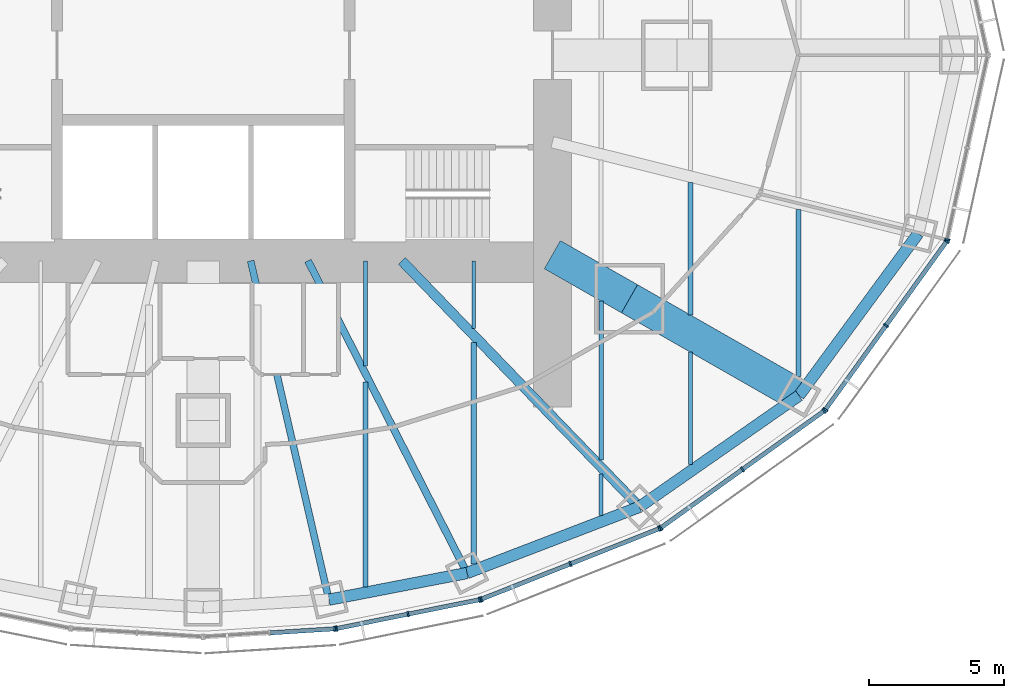
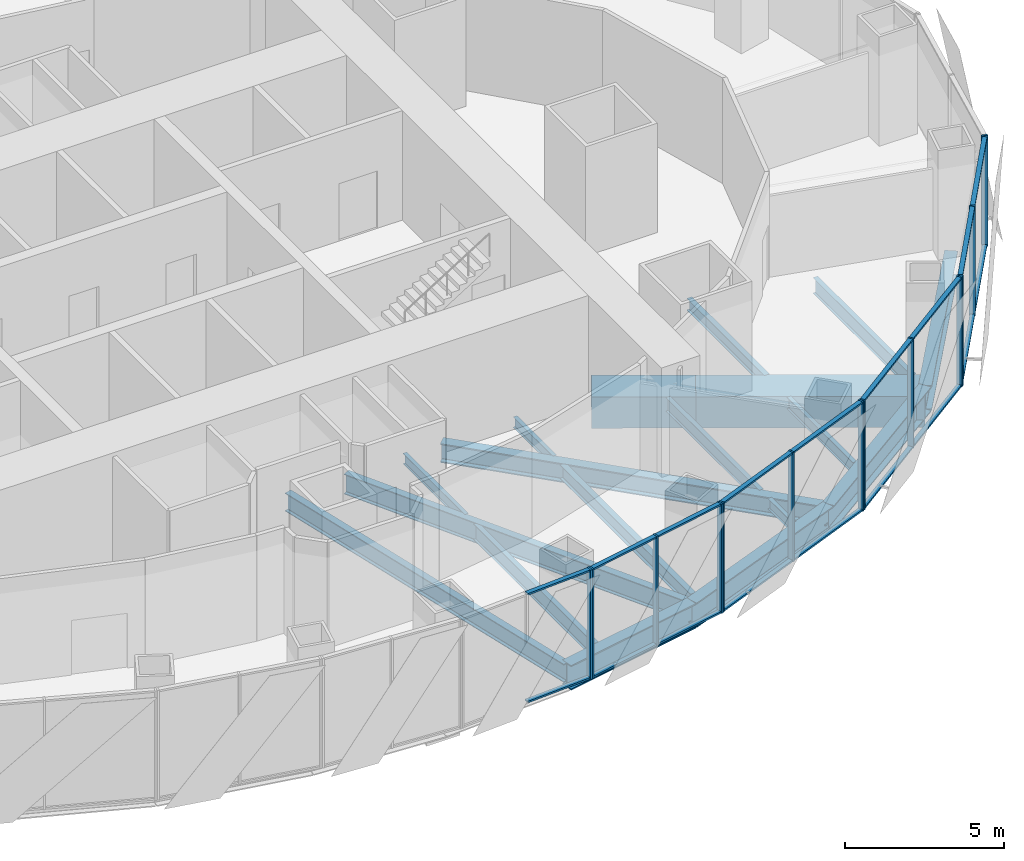
# One storey, part 5 of 17: 32 members, 18 beams, 6 elements without a shape of their own.
"""IFC4 building model written with IfcOpenShell, lengths in metres."""

from ifc_helpers import new_model, si_unit, direction, frame, origin, origin_2d, place, context, subcontext, project, spatial, rectangle, hollow_rectangle, i_section, extrude, material, material_profile, profile_set, type_object, element, aggregate, save


model = new_model("IFC4")

# Units and contexts
model_context = context("Model", 3, precision=1e-05, world=origin(), true_north=direction((0.0, 1.0)))
body_context = subcontext(model_context, "Body", "Model", "MODEL_VIEW")
ifc_project = project(units=[si_unit("LENGTHUNIT", "METRE"), si_unit("AREAUNIT", "SQUARE_METRE"), si_unit("VOLUMEUNIT", "CUBIC_METRE"), si_unit("PLANEANGLEUNIT", "RADIAN"), si_unit("MASSUNIT", "GRAM", prefix="KILO")], contexts=[model_context])

# Site, building, storey
site_placement = place(None, origin())
site = spatial("IfcSite", under=ifc_project, at=site_placement, CompositionType="ELEMENT")
building_placement = place(site_placement, origin())
building = spatial("IfcBuilding", under=site, at=building_placement, Name="Lantaw Convention Tower", CompositionType="ELEMENT")
storey_placement = place(building_placement, frame((0.0, 0.0, 117.39990234375)))
storey = spatial("IfcBuildingStorey", under=building, at=storey_placement, Name="L27", CompositionType="ELEMENT", Elevation=117.39990234375)

# Beams
ifc_material_1 = material(Name="Steel ASTM A992", Category="steel")
ifc_material_profile_1 = material_profile(ifc_material_1, i_section(OverallWidth=0.424072265625, OverallDepth=0.947509765625, WebThickness=0.02392578125, FlangeThickness=0.042724609375, FilletRadius=0.012451171875, at=origin_2d()), Name="W36X302")
ifc_profile_set_1 = profile_set([ifc_material_profile_1], Name="Steel ASTM A992")
beam_type_1 = type_object("IfcBeamType", Name="Beam BC W36X302", PredefinedType="SPANDREL", material=ifc_profile_set_1)
beam_1_placement = place(storey_placement, frame((4.64501953125, -20.1201171875, -0.62353515625), z_axis=(0.981796805654, 0.189934284446, 0.0), x_axis=(-0.189934284446, 0.981796805654, 0.0)))
element("IfcBeam", 1, at=beam_1_placement, inside=storey, type_object=beam_type_1, Name="Belt truss chord 20", PredefinedType="SPANDREL", context=body_context, shape_type="SweptSolid", body=[
    extrude(i_section(OverallWidth=0.424072265625, OverallDepth=0.947509765625, WebThickness=0.02392578125, FlangeThickness=0.042724609375, FilletRadius=0.012451171875, at=origin_2d()), origin(), (0.0, 0.0, 1.0), 5.1982421875),
])
beam_2_placement = place(storey_placement, frame((9.74853515625, -19.1328125, -0.62353515625), z_axis=(0.933691081977, 0.358079549033, 0.0), x_axis=(-0.358079549033, 0.933691081977, 0.0)))
element("IfcBeam", 2, at=beam_2_placement, inside=storey, type_object=beam_type_1, Name="Belt truss chord 21", PredefinedType="SPANDREL", context=body_context, shape_type="SweptSolid", body=[
    extrude(i_section(OverallWidth=0.424072265625, OverallDepth=0.947509765625, WebThickness=0.02392578125, FlangeThickness=0.042724609375, FilletRadius=0.012451171875, at=origin_2d()), origin(), (0.0, 0.0, 1.0), 6.821533203125),
])
beam_3_placement = place(storey_placement, frame((16.11767578125, -16.690185546875, -0.62353515625), z_axis=(0.820310765287, 0.57191804339, 0.0), x_axis=(-0.57191804339, 0.820310765287, 0.0)))
element("IfcBeam", 3, at=beam_3_placement, inside=storey, type_object=beam_type_1, Name="Belt truss chord 22", PredefinedType="SPANDREL", context=body_context, shape_type="SweptSolid", body=[
    extrude(i_section(OverallWidth=0.424072265625, OverallDepth=0.947509765625, WebThickness=0.02392578125, FlangeThickness=0.042724609375, FilletRadius=0.012451171875, at=origin_2d()), origin(), (0.0, 0.0, 1.0), 7.187744140625),
])
beam_4_placement = place(storey_placement, frame((22.013916015625, -12.579345703125, -0.62353515625), z_axis=(0.5923891972, 0.805651934176, 0.0), x_axis=(-0.805651934176, 0.5923891972, 0.0)))
element("IfcBeam", 4, at=beam_4_placement, inside=storey, type_object=beam_type_1, Name="Belt truss chord 23", PredefinedType="SPANDREL", context=body_context, shape_type="SweptSolid", body=[
    extrude(i_section(OverallWidth=0.424072265625, OverallDepth=0.947509765625, WebThickness=0.02392578125, FlangeThickness=0.042724609375, FilletRadius=0.012451171875, at=origin_2d()), origin(), (0.0, 0.0, 1.0), 7.437744140625),
])
ifc_material_2 = material(Name="Steel EN 10025-3 S460N", Category="steel")
ifc_material_profile_2 = material_profile(ifc_material_2, hollow_rectangle(XDim=1.199951171875, YDim=1.199951171875, WallThickness=0.10009765625, at=origin_2d()), Name="BOX1200X100")
ifc_profile_set_2 = profile_set([ifc_material_profile_2], Name="Steel EN 10025-3 S460N")
beam_type_2 = type_object("IfcBeamType", Name="Beam G BOX1200X100", PredefinedType="BEAM", material=ifc_profile_set_2)
beam_5_placement = place(storey_placement, frame((15.75, -9.0, -0.75), z_axis=(0.868245224608, -0.496135293993, 0.0), x_axis=(0.496135293993, 0.868245224608, 0.0)))
element("IfcBeam", 5, at=beam_5_placement, inside=storey, type_object=beam_type_2, Name="Floor girder on ray 23", PredefinedType="BEAM", context=body_context, shape_type="SweptSolid", body=[
    extrude(hollow_rectangle(XDim=1.199951171875, YDim=1.199951171875, WallThickness=0.10009765625, at=origin_2d()), origin(), (0.0, 0.0, 1.0), 7.21435546875),
])
ifc_material_profile_3 = material_profile(ifc_material_1, i_section(OverallWidth=0.25390625, OverallDepth=0.700927734375, WebThickness=0.015380859375, FlangeThickness=0.02783203125, FilletRadius=0.01513671875, at=origin_2d()), Name="W27X129")
ifc_profile_set_3 = profile_set([ifc_material_profile_3], Name="Steel ASTM A992")
beam_type_3 = type_object("IfcBeamType", Name="Beam G W27X129", PredefinedType="BEAM", material=ifc_profile_set_3)
beam_6_placement = place(storey_placement, frame((1.754638671875, -7.60009765625, -0.50048828125), z_axis=(0.224944153104, -0.974371658036, 0.0), x_axis=(0.974371658036, 0.224944153104, 0.0)))
element("IfcBeam", 6, at=beam_6_placement, inside=storey, type_object=beam_type_3, Name="Floor girder on ray 20", PredefinedType="BEAM", context=body_context, shape_type="SweptSolid", body=[
    extrude(i_section(OverallWidth=0.25390625, OverallDepth=0.700927734375, WebThickness=0.015380859375, FlangeThickness=0.02783203125, FilletRadius=0.01513671875, at=origin_2d()), origin(), (0.0, 0.0, 1.0), 12.849365234375),
])
ifc_material_profile_4 = material_profile(ifc_material_1, i_section(OverallWidth=0.360595703125, OverallDepth=0.72900390625, WebThickness=0.023193359375, FlangeThickness=0.041015625, FilletRadius=0.0126953125, at=origin_2d()), Name="W27X235")
ifc_profile_set_4 = profile_set([ifc_material_profile_4], Name="Steel ASTM A992")
beam_type_4 = type_object("IfcBeamType", Name="Beam G W27X235", PredefinedType="BEAM", material=ifc_profile_set_4)
beam_7_placement = place(storey_placement, frame((7.33935546875, -7.60009765625, -0.514404296875), z_axis=(0.694663467407, -0.719334878239, 0.0), x_axis=(0.719334878239, 0.694663467407, 0.0)))
element("IfcBeam", 7, at=beam_7_placement, inside=storey, type_object=beam_type_4, Name="Floor girder on ray 22", PredefinedType="BEAM", context=body_context, shape_type="SweptSolid", body=[
    extrude(i_section(OverallWidth=0.360595703125, OverallDepth=0.72900390625, WebThickness=0.023193359375, FlangeThickness=0.041015625, FilletRadius=0.0126953125, at=origin_2d()), origin(), (0.0, 0.0, 1.0), 12.63671875),
])
ifc_material_profile_5 = material_profile(ifc_material_1, i_section(OverallWidth=0.2666015625, OverallDepth=0.76953125, WebThickness=0.015625, FlangeThickness=0.025390625, FilletRadius=0.0126953125, at=origin_2d()), Name="W30X132")
ifc_profile_set_5 = profile_set([ifc_material_profile_5], Name="Steel ASTM A992")
beam_type_5 = type_object("IfcBeamType", Name="Beam G W30X132", PredefinedType="BEAM", material=ifc_profile_set_5)
beam_8_placement = place(storey_placement, frame((3.872314453125, -7.60009765625, -0.53466796875), z_axis=(0.453991051051, -0.891006243281, 0.0), x_axis=(0.891006243281, 0.453991051051, 0.0)))
element("IfcBeam", 8, at=beam_8_placement, inside=storey, type_object=beam_type_5, Name="Floor girder on ray 21", PredefinedType="BEAM", context=body_context, shape_type="SweptSolid", body=[
    extrude(i_section(OverallWidth=0.2666015625, OverallDepth=0.76953125, WebThickness=0.015625, FlangeThickness=0.025390625, FilletRadius=0.0126953125, at=origin_2d()), origin(), (0.0, 0.0, 1.0), 12.943359375),
])
ifc_material_profile_6 = material_profile(ifc_material_1, i_section(OverallWidth=0.140380859375, OverallDepth=0.40380859375, WebThickness=0.007080078125, FlangeThickness=0.01123046875, FilletRadius=0.01025390625, at=origin_2d()), Name="W16X31")
ifc_profile_set_6 = profile_set([ifc_material_profile_6], Name="Steel ASTM A992")
beam_type_6 = type_object("IfcBeamType", Name="Beam J W16X31", PredefinedType="JOIST", material=ifc_profile_set_6)
beam_9_placement = place(storey_placement, frame((6.0, -11.48193359375, -0.351806640625), z_axis=(0.0, 1.0, 0.0), x_axis=(-1.0, 0.0, 0.0)))
element("IfcBeam", 9, at=beam_9_placement, inside=storey, type_object=beam_type_6, Name="Floor joist", PredefinedType="JOIST", context=body_context, shape_type="SweptSolid", body=[
    extrude(i_section(OverallWidth=0.140380859375, OverallDepth=0.40380859375, WebThickness=0.007080078125, FlangeThickness=0.01123046875, FilletRadius=0.01025390625, at=origin_2d()), origin(), (0.0, 0.0, 1.0), 3.8818359375),
])
beam_10_placement = place(storey_placement, frame((10.0, -10.095703125, -0.351806640625), z_axis=(0.0, 1.0, 0.0), x_axis=(-1.0, 0.0, 0.0)))
element("IfcBeam", 10, at=beam_10_placement, inside=storey, type_object=beam_type_6, Name="Floor joist", PredefinedType="JOIST", context=body_context, shape_type="SweptSolid", body=[
    extrude(i_section(OverallWidth=0.140380859375, OverallDepth=0.40380859375, WebThickness=0.007080078125, FlangeThickness=0.01123046875, FilletRadius=0.01025390625, at=origin_2d()), origin(), (0.0, 0.0, 1.0), 2.49560546875),
])
beam_11_placement = place(storey_placement, frame((14.699951171875, -17.0068359375, -0.351806640625), z_axis=(0.0, 1.0, 0.0), x_axis=(-1.0, 0.0, 0.0)))
element("IfcBeam", 11, at=beam_11_placement, inside=storey, type_object=beam_type_6, Name="Floor joist", PredefinedType="JOIST", context=body_context, shape_type="SweptSolid", body=[
    extrude(i_section(OverallWidth=0.140380859375, OverallDepth=0.40380859375, WebThickness=0.007080078125, FlangeThickness=0.01123046875, FilletRadius=0.01025390625, at=origin_2d()), origin(), (0.0, 0.0, 1.0), 1.52490234375),
])
ifc_material_profile_7 = material_profile(ifc_material_1, i_section(OverallWidth=0.15234375, OverallDepth=0.449462890625, WebThickness=0.007568359375, FlangeThickness=0.0107421875, FilletRadius=0.01025390625, at=origin_2d()), Name="W18X35")
ifc_profile_set_7 = profile_set([ifc_material_profile_7], Name="Steel ASTM A992")
beam_type_7 = type_object("IfcBeamType", Name="Beam J W18X35", PredefinedType="JOIST", material=ifc_profile_set_7)
beam_12_placement = place(storey_placement, frame((18.0, -15.119384765625, -0.374755859375), z_axis=(0.0, 1.0, 0.0), x_axis=(-1.0, 0.0, 0.0)))
element("IfcBeam", 12, at=beam_12_placement, inside=storey, type_object=beam_type_7, Name="Floor joist", PredefinedType="JOIST", context=body_context, shape_type="SweptSolid", body=[
    extrude(i_section(OverallWidth=0.15234375, OverallDepth=0.449462890625, WebThickness=0.007568359375, FlangeThickness=0.0107421875, FilletRadius=0.01025390625, at=origin_2d()), origin(), (0.0, 0.0, 1.0), 4.142578125),
])
ifc_material_profile_8 = material_profile(ifc_material_1, i_section(OverallWidth=0.1904296875, OverallDepth=0.457275390625, WebThickness=0.009033203125, FlangeThickness=0.014404296875, FilletRadius=0.01025390625, at=origin_2d()), Name="W18X50")
ifc_profile_set_8 = profile_set([ifc_material_profile_8], Name="Steel ASTM A992")
beam_type_8 = type_object("IfcBeamType", Name="Beam J W18X50", PredefinedType="JOIST", material=ifc_profile_set_8)
beam_13_placement = place(storey_placement, frame((18.0, -9.5947265625, -0.37841796875), z_axis=(0.0, 1.0, 0.0), x_axis=(-1.0, 0.0, 0.0)))
element("IfcBeam", 13, at=beam_13_placement, inside=storey, type_object=beam_type_8, Name="Floor joist", PredefinedType="JOIST", context=body_context, shape_type="SweptSolid", body=[
    extrude(i_section(OverallWidth=0.1904296875, OverallDepth=0.457275390625, WebThickness=0.009033203125, FlangeThickness=0.014404296875, FilletRadius=0.01025390625, at=origin_2d()), origin(), (0.0, 0.0, 1.0), 4.8896484375),
])
ifc_material_profile_9 = material_profile(ifc_material_1, i_section(OverallWidth=0.1650390625, OverallDepth=0.52587890625, WebThickness=0.0087890625, FlangeThickness=0.011474609375, FilletRadius=0.0126953125, at=origin_2d()), Name="W21X44")
ifc_profile_set_9 = profile_set([ifc_material_profile_9], Name="Steel ASTM A992")
beam_type_9 = type_object("IfcBeamType", Name="Beam J W21X44", PredefinedType="JOIST", material=ifc_profile_set_9)
beam_14_placement = place(storey_placement, frame((14.699951171875, -14.962646484375, -0.412841796875), z_axis=(0.0, 1.0, 0.0), x_axis=(-1.0, 0.0, 0.0)))
element("IfcBeam", 14, at=beam_14_placement, inside=storey, type_object=beam_type_9, Name="Floor joist", PredefinedType="JOIST", context=body_context, shape_type="SweptSolid", body=[
    extrude(i_section(OverallWidth=0.1650390625, OverallDepth=0.52587890625, WebThickness=0.0087890625, FlangeThickness=0.011474609375, FilletRadius=0.0126953125, at=origin_2d()), origin(), (0.0, 0.0, 1.0), 5.87158203125),
])
ifc_material_profile_10 = material_profile(ifc_material_1, i_section(OverallWidth=0.2099609375, OverallDepth=0.535888671875, WebThickness=0.010986328125, FlangeThickness=0.017333984375, FilletRadius=0.012939453125, at=origin_2d()), Name="W21X68")
ifc_profile_set_10 = profile_set([ifc_material_profile_10], Name="Steel ASTM A992")
beam_type_10 = type_object("IfcBeamType", Name="Beam J W21X68", PredefinedType="JOIST", material=ifc_profile_set_10)
beam_15_placement = place(storey_placement, frame((10.0, -18.80908203125, -0.41796875), z_axis=(0.0, 1.0, 0.0), x_axis=(-1.0, 0.0, 0.0)))
element("IfcBeam", 15, at=beam_15_placement, inside=storey, type_object=beam_type_10, Name="Floor joist", PredefinedType="JOIST", context=body_context, shape_type="SweptSolid", body=[
    extrude(i_section(OverallWidth=0.2099609375, OverallDepth=0.535888671875, WebThickness=0.010986328125, FlangeThickness=0.017333984375, FilletRadius=0.012939453125, at=origin_2d()), origin(), (0.0, 0.0, 1.0), 8.194091796875),
])
ifc_material_profile_11 = material_profile(ifc_material_1, i_section(OverallWidth=0.177978515625, OverallDepth=0.599365234375, WebThickness=0.010009765625, FlangeThickness=0.012939453125, FilletRadius=0.012939453125, at=origin_2d()), Name="W24X55")
ifc_profile_set_11 = profile_set([ifc_material_profile_11], Name="Steel ASTM A992")
beam_type_11 = type_object("IfcBeamType", Name="Beam J W24X55", PredefinedType="JOIST", material=ifc_profile_set_11)
beam_16_placement = place(storey_placement, frame((6.0, -19.641845703125, -0.44970703125), z_axis=(0.0, 1.0, 0.0), x_axis=(-1.0, 0.0, 0.0)))
element("IfcBeam", 16, at=beam_16_placement, inside=storey, type_object=beam_type_11, Name="Floor joist", PredefinedType="JOIST", context=body_context, shape_type="SweptSolid", body=[
    extrude(i_section(OverallWidth=0.177978515625, OverallDepth=0.599365234375, WebThickness=0.010009765625, FlangeThickness=0.012939453125, FilletRadius=0.012939453125, at=origin_2d()), origin(), (0.0, 0.0, 1.0), 7.572509765625),
])
beam_17_placement = place(storey_placement, frame((22.0, -11.88037109375, -0.44970703125), z_axis=(0.0, 1.0, 0.0), x_axis=(-1.0, 0.0, 0.0)))
element("IfcBeam", 17, at=beam_17_placement, inside=storey, type_object=beam_type_11, Name="Floor joist", PredefinedType="JOIST", context=body_context, shape_type="SweptSolid", body=[
    extrude(i_section(OverallWidth=0.177978515625, OverallDepth=0.599365234375, WebThickness=0.010009765625, FlangeThickness=0.012939453125, FilletRadius=0.012939453125, at=origin_2d()), origin(), (0.0, 0.0, 1.0), 6.177978515625),
])
ifc_material_profile_12 = material_profile(ifc_material_2, hollow_rectangle(XDim=1.199951171875, YDim=1.199951171875, WallThickness=0.10009765625, at=origin_2d()), Name="BOX1200X100")
ifc_profile_set_12 = profile_set([ifc_material_profile_12], Name="Steel EN 10025-3 S460N")
beam_type_12 = type_object("IfcBeamType", Name="Beam OC BOX1200X100", PredefinedType="BEAM", material=ifc_profile_set_12)
beam_18_placement = place(storey_placement, frame((12.89990234375, -7.371337890625, -0.75), z_axis=(0.868238565244, -0.496146947811, 0.0), x_axis=(0.496146947811, 0.868238565244, 0.0)))
element("IfcBeam", 18, at=beam_18_placement, inside=storey, type_object=beam_type_12, Name="Outrigger chord on ray 23", PredefinedType="BEAM", context=body_context, shape_type="SweptSolid", body=[
    extrude(hollow_rectangle(XDim=1.199951171875, YDim=1.199951171875, WallThickness=0.10009765625, at=origin_2d()), origin(), (0.0, 0.0, 1.0), 3.28271484375),
])

# Curtain wall, member
ifc_material_3 = material(Name="Aluminium framed curtain wall", Category="aluminium")
curtain_wall_type = type_object("IfcCurtainWallType", Name="Office curtain wall low rise, pale aluminium", PredefinedType="USERDEFINED", material=ifc_material_3)
curtain_wall_1_placement = place(storey_placement, origin())
curtain_wall_1 = element("IfcCurtainWall", 19, at=curtain_wall_1_placement, inside=storey, type_object=curtain_wall_type, Name="Office curtain wall low rise, pale aluminium L27", ObjectType="UNITISED CURTAIN WALL", PredefinedType="USERDEFINED")
ifc_material_4 = material(Name="Aluminium 6063-T6", Category="aluminium")
ifc_material_profile_13 = material_profile(ifc_material_4, rectangle(XDim=0.199951171875, YDim=0.06494140625, at=origin_2d()), Name="CW-O1 mullion 65x200")
ifc_profile_set_13 = profile_set([ifc_material_profile_13], Name="Aluminium 6063-T6")
member_type_1 = type_object("IfcMemberType", Name="CW-O1 mullion 65x200", PredefinedType="MULLION", material=ifc_profile_set_13)
member_1_placement = place(storey_placement, frame((4.860107421875, -21.19384765625, -0.14990234375), z_axis=(0.0, 0.0, 1.0), x_axis=(-0.062865059466, 0.998022035978, 0.0)))
member_1 = element("IfcMember", 20, at=member_1_placement, type_object=member_type_1, Name="CW-O1 mullion 3", PredefinedType="MULLION", context=body_context, shape_type="SweptSolid", body=[
    extrude(rectangle(XDim=0.199951171875, YDim=0.06494140625, at=origin_2d()), origin(), (0.0, 0.0, 1.0), 4.199951171875),
])

# Curtain wall, members
curtain_wall_2_placement = place(storey_placement, origin())
curtain_wall_2 = element("IfcCurtainWall", 21, at=curtain_wall_2_placement, inside=storey, type_object=curtain_wall_type, Name="Office curtain wall low rise, pale aluminium L27", ObjectType="UNITISED CURTAIN WALL", PredefinedType="USERDEFINED")
member_2_placement = place(storey_placement, frame((4.92431640625, -21.185302734375, -0.14990234375), z_axis=(0.0, 0.0, 1.0), x_axis=(-0.197506809659, 0.980301514912, 0.0)))
member_2 = element("IfcMember", 22, at=member_2_placement, type_object=member_type_1, Name="CW-O1 mullion 1", PredefinedType="MULLION", context=body_context, shape_type="SweptSolid", body=[
    extrude(rectangle(XDim=0.199951171875, YDim=0.06494140625, at=origin_2d()), origin(), (0.0, 0.0, 1.0), 4.199951171875),
])
member_3_placement = place(storey_placement, frame((7.5703125, -20.65234375, -0.14990234375), z_axis=(0.0, 0.0, 1.0), x_axis=(-0.197506809659, 0.980301514912, 0.0)))
member_3 = element("IfcMember", 23, at=member_3_placement, type_object=member_type_1, Name="CW-O1 mullion 2", PredefinedType="MULLION", context=body_context, shape_type="SweptSolid", body=[
    extrude(rectangle(XDim=0.199951171875, YDim=0.06494140625, at=origin_2d()), origin(), (0.0, 0.0, 1.0), 4.199951171875),
])
member_4_placement = place(storey_placement, frame((10.216064453125, -20.119140625, -0.14990234375), z_axis=(0.0, 0.0, 1.0), x_axis=(-0.197506809659, 0.980301514912, 0.0)))
member_4 = element("IfcMember", 24, at=member_4_placement, type_object=member_type_1, Name="CW-O1 mullion 3", PredefinedType="MULLION", context=body_context, shape_type="SweptSolid", body=[
    extrude(rectangle(XDim=0.199951171875, YDim=0.06494140625, at=origin_2d()), origin(), (0.0, 0.0, 1.0), 4.199951171875),
])

curtain_wall_3_placement = place(storey_placement, origin())
curtain_wall_3 = element("IfcCurtainWall", 25, at=curtain_wall_3_placement, inside=storey, type_object=curtain_wall_type, Name="Office curtain wall low rise, pale aluminium L27", ObjectType="UNITISED CURTAIN WALL", PredefinedType="USERDEFINED")
member_5_placement = place(storey_placement, frame((10.2783203125, -20.100830078125, -0.14990234375), z_axis=(0.0, 0.0, 1.0), x_axis=(-0.368701907483, 0.929547687544, 0.0)))
member_5 = element("IfcMember", 26, at=member_5_placement, type_object=member_type_1, Name="CW-O1 mullion 1", PredefinedType="MULLION", context=body_context, shape_type="SweptSolid", body=[
    extrude(rectangle(XDim=0.199951171875, YDim=0.06494140625, at=origin_2d()), origin(), (0.0, 0.0, 1.0), 4.199951171875),
])
member_6_placement = place(storey_placement, frame((13.56494140625, -18.797119140625, -0.14990234375), z_axis=(0.0, 0.0, 1.0), x_axis=(-0.368701907483, 0.929547687544, 0.0)))
member_6 = element("IfcMember", 27, at=member_6_placement, type_object=member_type_1, Name="CW-O1 mullion 2", PredefinedType="MULLION", context=body_context, shape_type="SweptSolid", body=[
    extrude(rectangle(XDim=0.199951171875, YDim=0.06494140625, at=origin_2d()), origin(), (0.0, 0.0, 1.0), 4.199951171875),
])
member_7_placement = place(storey_placement, frame((16.8515625, -17.49365234375, -0.14990234375), z_axis=(0.0, 0.0, 1.0), x_axis=(-0.368701907483, 0.929547687544, 0.0)))
member_7 = element("IfcMember", 28, at=member_7_placement, type_object=member_type_1, Name="CW-O1 mullion 3", PredefinedType="MULLION", context=body_context, shape_type="SweptSolid", body=[
    extrude(rectangle(XDim=0.199951171875, YDim=0.06494140625, at=origin_2d()), origin(), (0.0, 0.0, 1.0), 4.199951171875),
])

curtain_wall_4_placement = place(storey_placement, origin())
curtain_wall_4 = element("IfcCurtainWall", 29, at=curtain_wall_4_placement, inside=storey, type_object=curtain_wall_type, Name="Office curtain wall low rise, pale aluminium L27", ObjectType="UNITISED CURTAIN WALL", PredefinedType="USERDEFINED")
member_8_placement = place(storey_placement, frame((16.908203125, -17.462646484375, -0.14990234375), z_axis=(0.0, 0.0, 1.0), x_axis=(-0.581972695693, 0.813208325995, 0.0)))
member_8 = element("IfcMember", 30, at=member_8_placement, type_object=member_type_1, Name="CW-O1 mullion 1", PredefinedType="MULLION", context=body_context, shape_type="SweptSolid", body=[
    extrude(rectangle(XDim=0.199951171875, YDim=0.06494140625, at=origin_2d()), origin(), (0.0, 0.0, 1.0), 4.199951171875),
])
member_9_placement = place(storey_placement, frame((19.92529296875, -15.303466796875, -0.14990234375), z_axis=(0.0, 0.0, 1.0), x_axis=(-0.581972695693, 0.813208325995, 0.0)))
member_9 = element("IfcMember", 31, at=member_9_placement, type_object=member_type_1, Name="CW-O1 mullion 2", PredefinedType="MULLION", context=body_context, shape_type="SweptSolid", body=[
    extrude(rectangle(XDim=0.199951171875, YDim=0.06494140625, at=origin_2d()), origin(), (0.0, 0.0, 1.0), 4.199951171875),
])
member_10_placement = place(storey_placement, frame((22.942626953125, -13.14404296875, -0.14990234375), z_axis=(0.0, 0.0, 1.0), x_axis=(-0.581972695693, 0.813208325995, 0.0)))
member_10 = element("IfcMember", 32, at=member_10_placement, type_object=member_type_1, Name="CW-O1 mullion 3", PredefinedType="MULLION", context=body_context, shape_type="SweptSolid", body=[
    extrude(rectangle(XDim=0.199951171875, YDim=0.06494140625, at=origin_2d()), origin(), (0.0, 0.0, 1.0), 4.199951171875),
])

curtain_wall_5_placement = place(storey_placement, origin())
curtain_wall_5 = element("IfcCurtainWall", 33, at=curtain_wall_5_placement, inside=storey, type_object=curtain_wall_type, Name="Office curtain wall low rise, pale aluminium L27", ObjectType="UNITISED CURTAIN WALL", PredefinedType="USERDEFINED")
member_11_placement = place(storey_placement, frame((22.988037109375, -13.098876953125, -0.14990234375), z_axis=(0.0, 0.0, 1.0), x_axis=(-0.811384633629, 0.584512597221, 0.0)))
member_11 = element("IfcMember", 34, at=member_11_placement, type_object=member_type_1, Name="CW-O1 mullion 1", PredefinedType="MULLION", context=body_context, shape_type="SweptSolid", body=[
    extrude(rectangle(XDim=0.199951171875, YDim=0.06494140625, at=origin_2d()), origin(), (0.0, 0.0, 1.0), 4.199951171875),
])
member_12_placement = place(storey_placement, frame((25.22802734375, -9.9892578125, -0.14990234375), z_axis=(0.0, 0.0, 1.0), x_axis=(-0.811384633629, 0.584512597221, 0.0)))
member_12 = element("IfcMember", 35, at=member_12_placement, type_object=member_type_1, Name="CW-O1 mullion 2", PredefinedType="MULLION", context=body_context, shape_type="SweptSolid", body=[
    extrude(rectangle(XDim=0.199951171875, YDim=0.06494140625, at=origin_2d()), origin(), (0.0, 0.0, 1.0), 4.199951171875),
])
member_13_placement = place(storey_placement, frame((27.46826171875, -6.879638671875, -0.14990234375), z_axis=(0.0, 0.0, 1.0), x_axis=(-0.811384633629, 0.584512597221, 0.0)))
member_13 = element("IfcMember", 36, at=member_13_placement, type_object=member_type_1, Name="CW-O1 mullion 3", PredefinedType="MULLION", context=body_context, shape_type="SweptSolid", body=[
    extrude(rectangle(XDim=0.199951171875, YDim=0.06494140625, at=origin_2d()), origin(), (0.0, 0.0, 1.0), 4.199951171875),
])

# Curtain wall, member
curtain_wall_6_placement = place(storey_placement, origin())
curtain_wall_6 = element("IfcCurtainWall", 37, at=curtain_wall_6_placement, inside=storey, type_object=curtain_wall_type, Name="Office curtain wall low rise, pale aluminium L27", ObjectType="UNITISED CURTAIN WALL", PredefinedType="USERDEFINED")
member_14_placement = place(storey_placement, frame((27.494140625, -6.821533203125, -0.14990234375), z_axis=(0.0, 0.0, 1.0), x_axis=(-0.9764936509, 0.215546166174, 0.0)))
member_14 = element("IfcMember", 38, at=member_14_placement, type_object=member_type_1, Name="CW-O1 mullion 1", PredefinedType="MULLION", context=body_context, shape_type="SweptSolid", body=[
    extrude(rectangle(XDim=0.199951171875, YDim=0.06494140625, at=origin_2d()), origin(), (0.0, 0.0, 1.0), 4.199951171875),
])
aggregate(curtain_wall_6, [member_14])

# Member
ifc_material_profile_14 = material_profile(ifc_material_4, rectangle(XDim=0.159912109375, YDim=0.06494140625, at=origin_2d()), Name="CW-O1 transom 65x160")
ifc_profile_set_14 = profile_set([ifc_material_profile_14], Name="Aluminium 6063-T6")
member_type_2 = type_object("IfcMemberType", Name="CW-O1 transom 65x160", PredefinedType="USERDEFINED", material=ifc_profile_set_14)
member_15_placement = place(storey_placement, frame((2.478759765625, -21.34375, -0.117431640625), z_axis=(0.998022188463, 0.062862638625, 0.0), x_axis=(-0.062862638625, 0.998022188463, 0.0)))
member_15 = element("IfcMember", 39, at=member_15_placement, type_object=member_type_2, Name="CW-O1 transom 2.1", ObjectType="TRANSOM", PredefinedType="USERDEFINED", context=body_context, shape_type="SweptSolid", body=[
    extrude(rectangle(XDim=0.159912109375, YDim=0.06494140625, at=origin_2d()), origin(), (0.0, 0.0, 1.0), 2.353515625),
])

member_16_placement = place(storey_placement, frame((2.478759765625, -21.34375, 4.017578125), z_axis=(0.998022188463, 0.062862638625, 0.0), x_axis=(-0.062862638625, 0.998022188463, 0.0)))
member_16 = element("IfcMember", 40, at=member_16_placement, type_object=member_type_2, Name="CW-O1 transom 2.2", ObjectType="TRANSOM", PredefinedType="USERDEFINED", context=body_context, shape_type="SweptSolid", body=[
    extrude(rectangle(XDim=0.159912109375, YDim=0.06494140625, at=origin_2d()), origin(), (0.0, 0.0, 1.0), 2.353515625),
])

aggregate(curtain_wall_1, [member_1, member_15, member_16])

member_17_placement = place(storey_placement, frame((4.956298828125, -21.178955078125, -0.117431640625), z_axis=(0.980298027092, 0.197524120247, 0.0), x_axis=(-0.197524120247, 0.980298027092, 0.0)))
member_17 = element("IfcMember", 41, at=member_17_placement, type_object=member_type_2, Name="CW-O1 transom 1.1", ObjectType="TRANSOM", PredefinedType="USERDEFINED", context=body_context, shape_type="SweptSolid", body=[
    extrude(rectangle(XDim=0.159912109375, YDim=0.06494140625, at=origin_2d()), origin(), (0.0, 0.0, 1.0), 2.634033203125),
])

member_18_placement = place(storey_placement, frame((4.956298828125, -21.178955078125, 4.017578125), z_axis=(0.980298027092, 0.197524120247, 0.0), x_axis=(-0.197524120247, 0.980298027092, 0.0)))
member_18 = element("IfcMember", 42, at=member_18_placement, type_object=member_type_2, Name="CW-O1 transom 1.2", ObjectType="TRANSOM", PredefinedType="USERDEFINED", context=body_context, shape_type="SweptSolid", body=[
    extrude(rectangle(XDim=0.159912109375, YDim=0.06494140625, at=origin_2d()), origin(), (0.0, 0.0, 1.0), 2.634033203125),
])

member_19_placement = place(storey_placement, frame((7.60205078125, -20.64599609375, -0.117431640625), z_axis=(0.980301643003, 0.197506173891, 0.0), x_axis=(-0.197506173891, 0.980301643003, 0.0)))
member_19 = element("IfcMember", 43, at=member_19_placement, type_object=member_type_2, Name="CW-O1 transom 2.1", ObjectType="TRANSOM", PredefinedType="USERDEFINED", context=body_context, shape_type="SweptSolid", body=[
    extrude(rectangle(XDim=0.159912109375, YDim=0.06494140625, at=origin_2d()), origin(), (0.0, 0.0, 1.0), 2.63427734375),
])

member_20_placement = place(storey_placement, frame((7.60205078125, -20.64599609375, 4.017578125), z_axis=(0.980301643003, 0.197506173891, 0.0), x_axis=(-0.197506173891, 0.980301643003, 0.0)))
member_20 = element("IfcMember", 44, at=member_20_placement, type_object=member_type_2, Name="CW-O1 transom 2.2", ObjectType="TRANSOM", PredefinedType="USERDEFINED", context=body_context, shape_type="SweptSolid", body=[
    extrude(rectangle(XDim=0.159912109375, YDim=0.06494140625, at=origin_2d()), origin(), (0.0, 0.0, 1.0), 2.63427734375),
])

aggregate(curtain_wall_2, [member_2, member_3, member_4, member_17, member_18, member_19, member_20])

member_21_placement = place(storey_placement, frame((10.308349609375, -20.0888671875, -0.117431640625), z_axis=(0.929540081544, 0.368721082668, 0.0), x_axis=(-0.368721082668, 0.929540081544, 0.0)))
member_21 = element("IfcMember", 45, at=member_21_placement, type_object=member_type_2, Name="CW-O1 transom 1.1", ObjectType="TRANSOM", PredefinedType="USERDEFINED", context=body_context, shape_type="SweptSolid", body=[
    extrude(rectangle(XDim=0.159912109375, YDim=0.06494140625, at=origin_2d()), origin(), (0.0, 0.0, 1.0), 3.470947265625),
])

member_22_placement = place(storey_placement, frame((10.308349609375, -20.0888671875, 4.017578125), z_axis=(0.929540081544, 0.368721082668, 0.0), x_axis=(-0.368721082668, 0.929540081544, 0.0)))
member_22 = element("IfcMember", 46, at=member_22_placement, type_object=member_type_2, Name="CW-O1 transom 1.2", ObjectType="TRANSOM", PredefinedType="USERDEFINED", context=body_context, shape_type="SweptSolid", body=[
    extrude(rectangle(XDim=0.159912109375, YDim=0.06494140625, at=origin_2d()), origin(), (0.0, 0.0, 1.0), 3.470947265625),
])

member_23_placement = place(storey_placement, frame((13.594970703125, -18.78515625, -0.117431640625), z_axis=(0.929564188507, 0.368660303592, 0.0), x_axis=(-0.368660303592, 0.929564188507, 0.0)))
member_23 = element("IfcMember", 47, at=member_23_placement, type_object=member_type_2, Name="CW-O1 transom 2.1", ObjectType="TRANSOM", PredefinedType="USERDEFINED", context=body_context, shape_type="SweptSolid", body=[
    extrude(rectangle(XDim=0.159912109375, YDim=0.06494140625, at=origin_2d()), origin(), (0.0, 0.0, 1.0), 3.470703125),
])

member_24_placement = place(storey_placement, frame((13.594970703125, -18.78515625, 4.017578125), z_axis=(0.929564188507, 0.368660303592, 0.0), x_axis=(-0.368660303592, 0.929564188507, 0.0)))
member_24 = element("IfcMember", 48, at=member_24_placement, type_object=member_type_2, Name="CW-O1 transom 2.2", ObjectType="TRANSOM", PredefinedType="USERDEFINED", context=body_context, shape_type="SweptSolid", body=[
    extrude(rectangle(XDim=0.159912109375, YDim=0.06494140625, at=origin_2d()), origin(), (0.0, 0.0, 1.0), 3.470703125),
])

aggregate(curtain_wall_3, [member_5, member_6, member_7, member_21, member_22, member_23, member_24])

member_25_placement = place(storey_placement, frame((16.9345703125, -17.44384765625, -0.117431640625), z_axis=(0.813190089133, 0.581998177777, 0.0), x_axis=(-0.581998177777, 0.813190089133, 0.0)))
member_25 = element("IfcMember", 49, at=member_25_placement, type_object=member_type_2, Name="CW-O1 transom 1.1", ObjectType="TRANSOM", PredefinedType="USERDEFINED", context=body_context, shape_type="SweptSolid", body=[
    extrude(rectangle(XDim=0.159912109375, YDim=0.06494140625, at=origin_2d()), origin(), (0.0, 0.0, 1.0), 3.645263671875),
])

member_26_placement = place(storey_placement, frame((16.9345703125, -17.44384765625, 4.017578125), z_axis=(0.813190089133, 0.581998177777, 0.0), x_axis=(-0.581998177777, 0.813190089133, 0.0)))
member_26 = element("IfcMember", 50, at=member_26_placement, type_object=member_type_2, Name="CW-O1 transom 1.2", ObjectType="TRANSOM", PredefinedType="USERDEFINED", context=body_context, shape_type="SweptSolid", body=[
    extrude(rectangle(XDim=0.159912109375, YDim=0.06494140625, at=origin_2d()), origin(), (0.0, 0.0, 1.0), 3.645263671875),
])

member_27_placement = place(storey_placement, frame((19.951904296875, -15.284423828125, -0.117431640625), z_axis=(0.813221785972, 0.581953887194, 0.0), x_axis=(-0.581953887194, 0.813221785972, 0.0)))
member_27 = element("IfcMember", 51, at=member_27_placement, type_object=member_type_2, Name="CW-O1 transom 2.1", ObjectType="TRANSOM", PredefinedType="USERDEFINED", context=body_context, shape_type="SweptSolid", body=[
    extrude(rectangle(XDim=0.159912109375, YDim=0.06494140625, at=origin_2d()), origin(), (0.0, 0.0, 1.0), 3.645263671875),
])

member_28_placement = place(storey_placement, frame((19.951904296875, -15.284423828125, 4.017578125), z_axis=(0.813221785972, 0.581953887194, 0.0), x_axis=(-0.581953887194, 0.813221785972, 0.0)))
member_28 = element("IfcMember", 52, at=member_28_placement, type_object=member_type_2, Name="CW-O1 transom 2.2", ObjectType="TRANSOM", PredefinedType="USERDEFINED", context=body_context, shape_type="SweptSolid", body=[
    extrude(rectangle(XDim=0.159912109375, YDim=0.06494140625, at=origin_2d()), origin(), (0.0, 0.0, 1.0), 3.645263671875),
])

aggregate(curtain_wall_4, [member_8, member_9, member_10, member_25, member_26, member_27, member_28])

member_29_placement = place(storey_placement, frame((23.007080078125, -13.072509765625, -0.117431640625), z_axis=(0.584512973979, 0.811384362217, 0.0), x_axis=(-0.811384362217, 0.584512973979, 0.0)))
member_29 = element("IfcMember", 53, at=member_29_placement, type_object=member_type_2, Name="CW-O1 transom 1.1", ObjectType="TRANSOM", PredefinedType="USERDEFINED", context=body_context, shape_type="SweptSolid", body=[
    extrude(rectangle(XDim=0.159912109375, YDim=0.06494140625, at=origin_2d()), origin(), (0.0, 0.0, 1.0), 3.767578125),
])

member_30_placement = place(storey_placement, frame((23.007080078125, -13.072509765625, 4.017578125), z_axis=(0.584512973979, 0.811384362217, 0.0), x_axis=(-0.811384362217, 0.584512973979, 0.0)))
member_30 = element("IfcMember", 54, at=member_30_placement, type_object=member_type_2, Name="CW-O1 transom 1.2", ObjectType="TRANSOM", PredefinedType="USERDEFINED", context=body_context, shape_type="SweptSolid", body=[
    extrude(rectangle(XDim=0.159912109375, YDim=0.06494140625, at=origin_2d()), origin(), (0.0, 0.0, 1.0), 3.767578125),
])

member_31_placement = place(storey_placement, frame((25.2470703125, -9.962890625, -0.117431640625), z_axis=(0.584512973979, 0.811384362217, 0.0), x_axis=(-0.811384362217, 0.584512973979, 0.0)))
member_31 = element("IfcMember", 55, at=member_31_placement, type_object=member_type_2, Name="CW-O1 transom 2.1", ObjectType="TRANSOM", PredefinedType="USERDEFINED", context=body_context, shape_type="SweptSolid", body=[
    extrude(rectangle(XDim=0.159912109375, YDim=0.06494140625, at=origin_2d()), origin(), (0.0, 0.0, 1.0), 3.767578125),
])

member_32_placement = place(storey_placement, frame((25.2470703125, -9.962890625, 4.017578125), z_axis=(0.584512973979, 0.811384362217, 0.0), x_axis=(-0.811384362217, 0.584512973979, 0.0)))
member_32 = element("IfcMember", 56, at=member_32_placement, type_object=member_type_2, Name="CW-O1 transom 2.2", ObjectType="TRANSOM", PredefinedType="USERDEFINED", context=body_context, shape_type="SweptSolid", body=[
    extrude(rectangle(XDim=0.159912109375, YDim=0.06494140625, at=origin_2d()), origin(), (0.0, 0.0, 1.0), 3.767578125),
])

aggregate(curtain_wall_5, [member_11, member_12, member_13, member_29, member_30, member_31, member_32])

save(model, "model.ifc")
